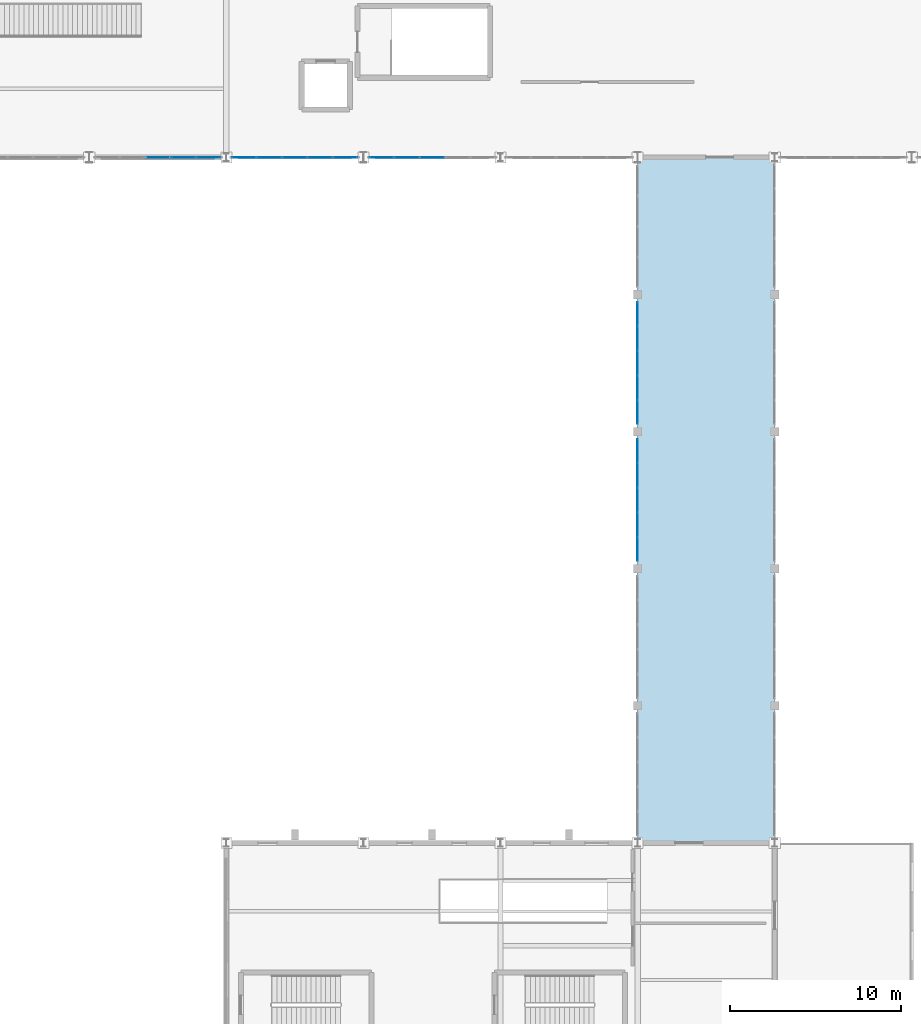
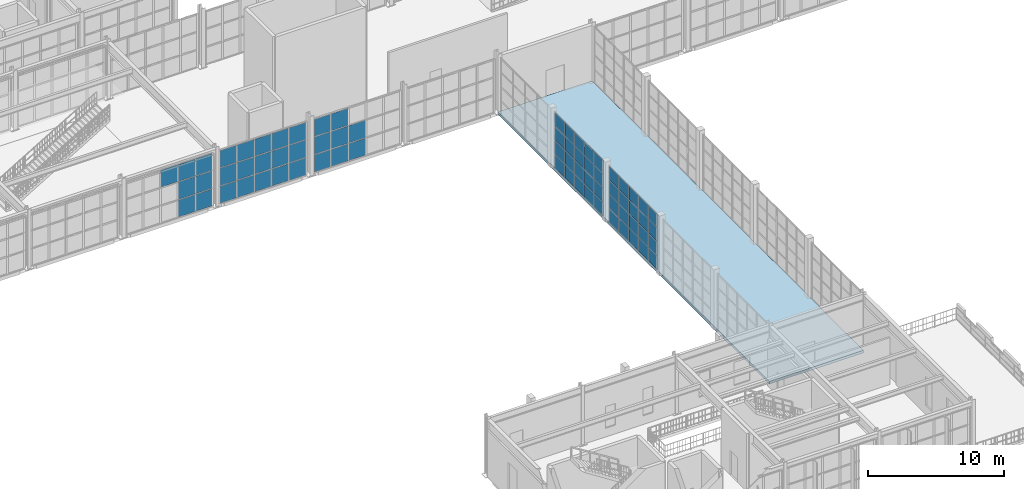
# One storey, part 52 of 82: 70 plates, 1 slab, 5 elements without a shape of their own.
"""IFC4 building model written with IfcOpenShell, lengths in metres."""

from ifc_helpers import new_model, si_unit, direction, frame, origin, origin_2d, place, context, subcontext, project, spatial, polyline, rectangle, outline, extrude, material, layer, layer_set, type_object, element, aggregate, save


model = new_model("IFC4")

# Units and contexts
model_context = context("Model", 3, precision=1e-05, world=origin(), true_north=direction((0.0, 1.0)))
body_context = subcontext(model_context, "Body", "Model", "MODEL_VIEW")
ifc_project = project(units=[si_unit("LENGTHUNIT", "METRE"), si_unit("AREAUNIT", "SQUARE_METRE"), si_unit("VOLUMEUNIT", "CUBIC_METRE"), si_unit("PLANEANGLEUNIT", "RADIAN"), si_unit("MASSUNIT", "GRAM", prefix="KILO")], contexts=[model_context])

# Site, building, storey
site_placement = place(None, origin())
site = spatial("IfcSite", under=ifc_project, at=site_placement, CompositionType="ELEMENT")
building_placement = place(site_placement, origin())
building = spatial("IfcBuilding", under=site, at=building_placement, Name="Serraluz Foothill Cableway Terminal", CompositionType="ELEMENT")
storey_placement = place(building_placement, frame((0.0, 0.0, 9.60009765625)))
storey = spatial("IfcBuildingStorey", under=building, at=storey_placement, Name="L02", CompositionType="ELEMENT", Elevation=9.60009765625)

# Curtain wall, plates
ifc_material_1 = material(Name="Architectural bronze alloy C28000", Category="aluminium")
curtain_wall_type_1 = type_object("IfcCurtainWallType", Name="TYP-CW-640X440", PredefinedType="NOTDEFINED", material=ifc_material_1)
curtain_wall_1_placement = place(storey_placement, origin())
curtain_wall_1 = element("IfcCurtainWall", 1, at=curtain_wall_1_placement, inside=storey, type_object=curtain_wall_type_1, Name="Ribbed Glazed Curtain Wall CW-V1S-L02-88", PredefinedType="NOTDEFINED")
ifc_material_2 = material(Name="Translucent ribbed laminated channel glass", Category="glass")
ifc_layer_1 = layer(ifc_material_2, 0.028076171875, Name="Translucent ribbed laminated channel glass", Category="glass")
ifc_layer_set_1 = layer_set([ifc_layer_1], Name="Translucent ribbed laminated channel glass")
plate_type = type_object("IfcPlateType", Name="TYP-CW-PNL-28", PredefinedType="CURTAIN_PANEL", material=ifc_layer_set_1)
plate_1_placement = place(storey_placement, frame((94.9619140625, 56.0, 0.06005859375), z_axis=(0.0, 0.0, 1.0), x_axis=(-1.0, 0.0, 0.0)))
plate_1 = element("IfcPlate", 2, at=plate_1_placement, type_object=plate_type, Name="CW-12 panel 1.1", PredefinedType="CURTAIN_PANEL", context=body_context, shape_type="SweptSolid", body=[
    extrude(rectangle(XDim=1.393310546875, YDim=0.028076171875, at=origin_2d()), origin(), (0.0, 0.0, 1.0), 1.526611328125),
])
plate_2_placement = place(storey_placement, frame((94.9619140625, 56.0, 1.646484375), z_axis=(0.0, 0.0, 1.0), x_axis=(-1.0, 0.0, 0.0)))
plate_2 = element("IfcPlate", 3, at=plate_2_placement, type_object=plate_type, Name="CW-12 panel 1.2", PredefinedType="CURTAIN_PANEL", context=body_context, shape_type="SweptSolid", body=[
    extrude(rectangle(XDim=1.393310546875, YDim=0.028076171875, at=origin_2d()), origin(), (0.0, 0.0, 1.0), 1.556640625),
])
plate_3_placement = place(storey_placement, frame((94.9619140625, 56.0, 3.26318359375), z_axis=(0.0, 0.0, 1.0), x_axis=(-1.0, 0.0, 0.0)))
plate_3 = element("IfcPlate", 4, at=plate_3_placement, type_object=plate_type, Name="CW-12 panel 1.3", PredefinedType="CURTAIN_PANEL", context=body_context, shape_type="SweptSolid", body=[
    extrude(rectangle(XDim=1.393310546875, YDim=0.028076171875, at=origin_2d()), origin(), (0.0, 0.0, 1.0), 1.526611328125),
])
plate_4_placement = place(storey_placement, frame((93.49365234375, 56.0, 0.06005859375), z_axis=(0.0, 0.0, 1.0), x_axis=(-1.0, 0.0, 0.0)))
plate_4 = element("IfcPlate", 5, at=plate_4_placement, type_object=plate_type, Name="CW-12 panel 2.1", PredefinedType="CURTAIN_PANEL", context=body_context, shape_type="SweptSolid", body=[
    extrude(rectangle(XDim=1.423095703125, YDim=0.028076171875, at=origin_2d()), origin(), (0.0, 0.0, 1.0), 1.526611328125),
])
plate_5_placement = place(storey_placement, frame((93.49365234375, 56.0, 1.646484375), z_axis=(0.0, 0.0, 1.0), x_axis=(-1.0, 0.0, 0.0)))
plate_5 = element("IfcPlate", 6, at=plate_5_placement, type_object=plate_type, Name="CW-12 panel 2.2", PredefinedType="CURTAIN_PANEL", context=body_context, shape_type="SweptSolid", body=[
    extrude(rectangle(XDim=1.423095703125, YDim=0.028076171875, at=origin_2d()), origin(), (0.0, 0.0, 1.0), 1.556640625),
])
plate_6_placement = place(storey_placement, frame((93.49365234375, 56.0, 3.26318359375), z_axis=(0.0, 0.0, 1.0), x_axis=(-1.0, 0.0, 0.0)))
plate_6 = element("IfcPlate", 7, at=plate_6_placement, type_object=plate_type, Name="CW-12 panel 2.3", PredefinedType="CURTAIN_PANEL", context=body_context, shape_type="SweptSolid", body=[
    extrude(rectangle(XDim=1.423095703125, YDim=0.028076171875, at=origin_2d()), origin(), (0.0, 0.0, 1.0), 1.526611328125),
])
plate_7_placement = place(storey_placement, frame((92.010498046875, 56.0, 3.26318359375), z_axis=(0.0, 0.0, 1.0), x_axis=(-1.0, 0.0, 0.0)))
plate_7 = element("IfcPlate", 8, at=plate_7_placement, type_object=plate_type, Name="CW-12 panel 3.3", PredefinedType="CURTAIN_PANEL", context=body_context, shape_type="SweptSolid", body=[
    extrude(rectangle(XDim=1.423095703125, YDim=0.028076171875, at=origin_2d()), origin(), (0.0, 0.0, 1.0), 1.526611328125),
])
aggregate(curtain_wall_1, [plate_1, plate_2, plate_3, plate_4, plate_5, plate_6, plate_7])

curtain_wall_type_2 = type_object("IfcCurtainWallType", Name="TYP-CW-680X420", PredefinedType="NOTDEFINED", material=ifc_material_1)
curtain_wall_2_placement = place(storey_placement, origin())
curtain_wall_2 = element("IfcCurtainWall", 9, at=curtain_wall_2_placement, inside=storey, type_object=curtain_wall_type_2, Name="Ribbed Glazed Curtain Wall CW-V1S-L02-96", PredefinedType="NOTDEFINED")
plate_8_placement = place(storey_placement, frame((102.94091796875, 56.0, 0.06005859375), z_axis=(0.0, 0.0, 1.0), x_axis=(-1.0, 0.0, 0.0)))
plate_8 = element("IfcPlate", 10, at=plate_8_placement, type_object=plate_type, Name="CW-13 panel 1.1", PredefinedType="CURTAIN_PANEL", context=body_context, shape_type="SweptSolid", body=[
    extrude(rectangle(XDim=1.393310546875, YDim=0.028076171875, at=origin_2d()), origin(), (0.0, 0.0, 1.0), 1.526611328125),
])
plate_9_placement = place(storey_placement, frame((102.94091796875, 56.0, 1.646484375), z_axis=(0.0, 0.0, 1.0), x_axis=(-1.0, 0.0, 0.0)))
plate_9 = element("IfcPlate", 11, at=plate_9_placement, type_object=plate_type, Name="CW-13 panel 1.2", PredefinedType="CURTAIN_PANEL", context=body_context, shape_type="SweptSolid", body=[
    extrude(rectangle(XDim=1.393310546875, YDim=0.028076171875, at=origin_2d()), origin(), (0.0, 0.0, 1.0), 1.556640625),
])
plate_10_placement = place(storey_placement, frame((102.94091796875, 56.0, 3.26318359375), z_axis=(0.0, 0.0, 1.0), x_axis=(-1.0, 0.0, 0.0)))
plate_10 = element("IfcPlate", 12, at=plate_10_placement, type_object=plate_type, Name="CW-13 panel 1.3", PredefinedType="CURTAIN_PANEL", context=body_context, shape_type="SweptSolid", body=[
    extrude(rectangle(XDim=1.393310546875, YDim=0.028076171875, at=origin_2d()), origin(), (0.0, 0.0, 1.0), 1.526611328125),
])
plate_11_placement = place(storey_placement, frame((101.47265625, 56.0, 0.06005859375), z_axis=(0.0, 0.0, 1.0), x_axis=(-1.0, 0.0, 0.0)))
plate_11 = element("IfcPlate", 13, at=plate_11_placement, type_object=plate_type, Name="CW-13 panel 2.1", PredefinedType="CURTAIN_PANEL", context=body_context, shape_type="SweptSolid", body=[
    extrude(rectangle(XDim=1.423095703125, YDim=0.028076171875, at=origin_2d()), origin(), (0.0, 0.0, 1.0), 1.526611328125),
])
plate_12_placement = place(storey_placement, frame((101.47265625, 56.0, 1.646484375), z_axis=(0.0, 0.0, 1.0), x_axis=(-1.0, 0.0, 0.0)))
plate_12 = element("IfcPlate", 14, at=plate_12_placement, type_object=plate_type, Name="CW-13 panel 2.2", PredefinedType="CURTAIN_PANEL", context=body_context, shape_type="SweptSolid", body=[
    extrude(rectangle(XDim=1.423095703125, YDim=0.028076171875, at=origin_2d()), origin(), (0.0, 0.0, 1.0), 1.556640625),
])
plate_13_placement = place(storey_placement, frame((101.47265625, 56.0, 3.26318359375), z_axis=(0.0, 0.0, 1.0), x_axis=(-1.0, 0.0, 0.0)))
plate_13 = element("IfcPlate", 15, at=plate_13_placement, type_object=plate_type, Name="CW-13 panel 2.3", PredefinedType="CURTAIN_PANEL", context=body_context, shape_type="SweptSolid", body=[
    extrude(rectangle(XDim=1.423095703125, YDim=0.028076171875, at=origin_2d()), origin(), (0.0, 0.0, 1.0), 1.526611328125),
])
plate_14_placement = place(storey_placement, frame((99.989501953125, 56.0, 0.06005859375), z_axis=(0.0, 0.0, 1.0), x_axis=(-1.0, 0.0, 0.0)))
plate_14 = element("IfcPlate", 16, at=plate_14_placement, type_object=plate_type, Name="CW-13 panel 3.1", PredefinedType="CURTAIN_PANEL", context=body_context, shape_type="SweptSolid", body=[
    extrude(rectangle(XDim=1.423095703125, YDim=0.028076171875, at=origin_2d()), origin(), (0.0, 0.0, 1.0), 1.526611328125),
])
plate_15_placement = place(storey_placement, frame((99.989501953125, 56.0, 1.646484375), z_axis=(0.0, 0.0, 1.0), x_axis=(-1.0, 0.0, 0.0)))
plate_15 = element("IfcPlate", 17, at=plate_15_placement, type_object=plate_type, Name="CW-13 panel 3.2", PredefinedType="CURTAIN_PANEL", context=body_context, shape_type="SweptSolid", body=[
    extrude(rectangle(XDim=1.423095703125, YDim=0.028076171875, at=origin_2d()), origin(), (0.0, 0.0, 1.0), 1.556640625),
])
plate_16_placement = place(storey_placement, frame((99.989501953125, 56.0, 3.26318359375), z_axis=(0.0, 0.0, 1.0), x_axis=(-1.0, 0.0, 0.0)))
plate_16 = element("IfcPlate", 18, at=plate_16_placement, type_object=plate_type, Name="CW-13 panel 3.3", PredefinedType="CURTAIN_PANEL", context=body_context, shape_type="SweptSolid", body=[
    extrude(rectangle(XDim=1.423095703125, YDim=0.028076171875, at=origin_2d()), origin(), (0.0, 0.0, 1.0), 1.526611328125),
])
plate_17_placement = place(storey_placement, frame((98.50634765625, 56.0, 0.06005859375), z_axis=(0.0, 0.0, 1.0), x_axis=(-1.0, 0.0, 0.0)))
plate_17 = element("IfcPlate", 19, at=plate_17_placement, type_object=plate_type, Name="CW-13 panel 4.1", PredefinedType="CURTAIN_PANEL", context=body_context, shape_type="SweptSolid", body=[
    extrude(rectangle(XDim=1.423095703125, YDim=0.028076171875, at=origin_2d()), origin(), (0.0, 0.0, 1.0), 1.526611328125),
])
plate_18_placement = place(storey_placement, frame((98.50634765625, 56.0, 1.646484375), z_axis=(0.0, 0.0, 1.0), x_axis=(-1.0, 0.0, 0.0)))
plate_18 = element("IfcPlate", 20, at=plate_18_placement, type_object=plate_type, Name="CW-13 panel 4.2", PredefinedType="CURTAIN_PANEL", context=body_context, shape_type="SweptSolid", body=[
    extrude(rectangle(XDim=1.423095703125, YDim=0.028076171875, at=origin_2d()), origin(), (0.0, 0.0, 1.0), 1.556640625),
])
plate_19_placement = place(storey_placement, frame((98.50634765625, 56.0, 3.26318359375), z_axis=(0.0, 0.0, 1.0), x_axis=(-1.0, 0.0, 0.0)))
plate_19 = element("IfcPlate", 21, at=plate_19_placement, type_object=plate_type, Name="CW-13 panel 4.3", PredefinedType="CURTAIN_PANEL", context=body_context, shape_type="SweptSolid", body=[
    extrude(rectangle(XDim=1.423095703125, YDim=0.028076171875, at=origin_2d()), origin(), (0.0, 0.0, 1.0), 1.526611328125),
])
plate_20_placement = place(storey_placement, frame((97.0380859375, 56.0, 0.06005859375), z_axis=(0.0, 0.0, 1.0), x_axis=(-1.0, 0.0, 0.0)))
plate_20 = element("IfcPlate", 22, at=plate_20_placement, type_object=plate_type, Name="CW-13 panel 5.1", PredefinedType="CURTAIN_PANEL", context=body_context, shape_type="SweptSolid", body=[
    extrude(rectangle(XDim=1.393310546875, YDim=0.028076171875, at=origin_2d()), origin(), (0.0, 0.0, 1.0), 1.526611328125),
])
plate_21_placement = place(storey_placement, frame((97.0380859375, 56.0, 1.646484375), z_axis=(0.0, 0.0, 1.0), x_axis=(-1.0, 0.0, 0.0)))
plate_21 = element("IfcPlate", 23, at=plate_21_placement, type_object=plate_type, Name="CW-13 panel 5.2", PredefinedType="CURTAIN_PANEL", context=body_context, shape_type="SweptSolid", body=[
    extrude(rectangle(XDim=1.393310546875, YDim=0.028076171875, at=origin_2d()), origin(), (0.0, 0.0, 1.0), 1.556640625),
])
plate_22_placement = place(storey_placement, frame((97.0380859375, 56.0, 3.26318359375), z_axis=(0.0, 0.0, 1.0), x_axis=(-1.0, 0.0, 0.0)))
plate_22 = element("IfcPlate", 24, at=plate_22_placement, type_object=plate_type, Name="CW-13 panel 5.3", PredefinedType="CURTAIN_PANEL", context=body_context, shape_type="SweptSolid", body=[
    extrude(rectangle(XDim=1.393310546875, YDim=0.028076171875, at=origin_2d()), origin(), (0.0, 0.0, 1.0), 1.526611328125),
])
aggregate(curtain_wall_2, [plate_8, plate_9, plate_10, plate_11, plate_12, plate_13, plate_14, plate_15, plate_16, plate_17, plate_18, plate_19, plate_20, plate_21, plate_22])

curtain_wall_type_3 = type_object("IfcCurtainWallType", Name="TYP-CW-480X380", PredefinedType="NOTDEFINED", material=ifc_material_1)
curtain_wall_3_placement = place(storey_placement, origin())
curtain_wall_3 = element("IfcCurtainWall", 25, at=curtain_wall_3_placement, inside=storey, type_object=curtain_wall_type_3, Name="Ribbed Glazed Curtain Wall CW-V1S-L02-104", PredefinedType="NOTDEFINED")
plate_23_placement = place(storey_placement, frame((108.010498046875, 56.0, 0.06005859375), z_axis=(0.0, 0.0, 1.0), x_axis=(-1.0, 0.0, 0.0)))
plate_23 = element("IfcPlate", 26, at=plate_23_placement, type_object=plate_type, Name="CW-14 panel 3.1", PredefinedType="CURTAIN_PANEL", context=body_context, shape_type="SweptSolid", body=[
    extrude(rectangle(XDim=1.423095703125, YDim=0.028076171875, at=origin_2d()), origin(), (0.0, 0.0, 1.0), 1.526611328125),
])
plate_24_placement = place(storey_placement, frame((108.010498046875, 56.0, 1.646484375), z_axis=(0.0, 0.0, 1.0), x_axis=(-1.0, 0.0, 0.0)))
plate_24 = element("IfcPlate", 27, at=plate_24_placement, type_object=plate_type, Name="CW-14 panel 3.2", PredefinedType="CURTAIN_PANEL", context=body_context, shape_type="SweptSolid", body=[
    extrude(rectangle(XDim=1.423095703125, YDim=0.028076171875, at=origin_2d()), origin(), (0.0, 0.0, 1.0), 1.556640625),
])
plate_25_placement = place(storey_placement, frame((106.52734375, 56.0, 0.06005859375), z_axis=(0.0, 0.0, 1.0), x_axis=(-1.0, 0.0, 0.0)))
plate_25 = element("IfcPlate", 28, at=plate_25_placement, type_object=plate_type, Name="CW-14 panel 4.1", PredefinedType="CURTAIN_PANEL", context=body_context, shape_type="SweptSolid", body=[
    extrude(rectangle(XDim=1.423095703125, YDim=0.028076171875, at=origin_2d()), origin(), (0.0, 0.0, 1.0), 1.526611328125),
])
plate_26_placement = place(storey_placement, frame((106.52734375, 56.0, 1.646484375), z_axis=(0.0, 0.0, 1.0), x_axis=(-1.0, 0.0, 0.0)))
plate_26 = element("IfcPlate", 29, at=plate_26_placement, type_object=plate_type, Name="CW-14 panel 4.2", PredefinedType="CURTAIN_PANEL", context=body_context, shape_type="SweptSolid", body=[
    extrude(rectangle(XDim=1.423095703125, YDim=0.028076171875, at=origin_2d()), origin(), (0.0, 0.0, 1.0), 1.556640625),
])
plate_27_placement = place(storey_placement, frame((106.52734375, 56.0, 3.26318359375), z_axis=(0.0, 0.0, 1.0), x_axis=(-1.0, 0.0, 0.0)))
plate_27 = element("IfcPlate", 30, at=plate_27_placement, type_object=plate_type, Name="CW-14 panel 4.3", PredefinedType="CURTAIN_PANEL", context=body_context, shape_type="SweptSolid", body=[
    extrude(rectangle(XDim=1.423095703125, YDim=0.028076171875, at=origin_2d()), origin(), (0.0, 0.0, 1.0), 1.526611328125),
])
plate_28_placement = place(storey_placement, frame((105.05908203125, 56.0, 0.06005859375), z_axis=(0.0, 0.0, 1.0), x_axis=(-1.0, 0.0, 0.0)))
plate_28 = element("IfcPlate", 31, at=plate_28_placement, type_object=plate_type, Name="CW-14 panel 5.1", PredefinedType="CURTAIN_PANEL", context=body_context, shape_type="SweptSolid", body=[
    extrude(rectangle(XDim=1.393310546875, YDim=0.028076171875, at=origin_2d()), origin(), (0.0, 0.0, 1.0), 1.526611328125),
])
plate_29_placement = place(storey_placement, frame((105.05908203125, 56.0, 1.646484375), z_axis=(0.0, 0.0, 1.0), x_axis=(-1.0, 0.0, 0.0)))
plate_29 = element("IfcPlate", 32, at=plate_29_placement, type_object=plate_type, Name="CW-14 panel 5.2", PredefinedType="CURTAIN_PANEL", context=body_context, shape_type="SweptSolid", body=[
    extrude(rectangle(XDim=1.393310546875, YDim=0.028076171875, at=origin_2d()), origin(), (0.0, 0.0, 1.0), 1.556640625),
])
plate_30_placement = place(storey_placement, frame((105.05908203125, 56.0, 3.26318359375), z_axis=(0.0, 0.0, 1.0), x_axis=(-1.0, 0.0, 0.0)))
plate_30 = element("IfcPlate", 33, at=plate_30_placement, type_object=plate_type, Name="CW-14 panel 5.3", PredefinedType="CURTAIN_PANEL", context=body_context, shape_type="SweptSolid", body=[
    extrude(rectangle(XDim=1.393310546875, YDim=0.028076171875, at=origin_2d()), origin(), (0.0, 0.0, 1.0), 1.526611328125),
])
aggregate(curtain_wall_3, [plate_23, plate_24, plate_25, plate_26, plate_27, plate_28, plate_29, plate_30])

curtain_wall_type_4 = type_object("IfcCurtainWallType", Name="TYP-CW-710X420", PredefinedType="NOTDEFINED", material=ifc_material_1)
curtain_wall_4_placement = place(storey_placement, origin())
curtain_wall_4 = element("IfcCurtainWall", 34, at=curtain_wall_4_placement, inside=storey, type_object=curtain_wall_type_4, Name="Ribbed Glazed Curtain Wall CW-CLW-L02-32", PredefinedType="NOTDEFINED")
plate_31_placement = place(storey_placement, frame((120.0, 33.126953125, 0.059814453125), z_axis=(0.0, 0.0, 1.0), x_axis=(0.0, 1.0, 0.0)))
plate_31 = element("IfcPlate", 35, at=plate_31_placement, type_object=plate_type, Name="CW-01 panel 1.1", PredefinedType="CURTAIN_PANEL", context=body_context, shape_type="SweptSolid", body=[
    extrude(rectangle(XDim=1.35400390625, YDim=0.028076171875, at=origin_2d()), origin(), (0.0, 0.0, 1.0), 1.18505859375),
])
plate_32_placement = place(storey_placement, frame((120.0, 33.126953125, 1.3046875), z_axis=(0.0, 0.0, 1.0), x_axis=(0.0, 1.0, 0.0)))
plate_32 = element("IfcPlate", 36, at=plate_32_placement, type_object=plate_type, Name="CW-01 panel 1.2", PredefinedType="CURTAIN_PANEL", context=body_context, shape_type="SweptSolid", body=[
    extrude(rectangle(XDim=1.35400390625, YDim=0.028076171875, at=origin_2d()), origin(), (0.0, 0.0, 1.0), 1.215087890625),
])
plate_33_placement = place(storey_placement, frame((120.0, 33.126953125, 2.580078125), z_axis=(0.0, 0.0, 1.0), x_axis=(0.0, 1.0, 0.0)))
plate_33 = element("IfcPlate", 37, at=plate_33_placement, type_object=plate_type, Name="CW-01 panel 1.3", PredefinedType="CURTAIN_PANEL", context=body_context, shape_type="SweptSolid", body=[
    extrude(rectangle(XDim=1.35400390625, YDim=0.028076171875, at=origin_2d()), origin(), (0.0, 0.0, 1.0), 1.215087890625),
])
plate_34_placement = place(storey_placement, frame((120.0, 33.126953125, 3.85498046875), z_axis=(0.0, 0.0, 1.0), x_axis=(0.0, 1.0, 0.0)))
plate_34 = element("IfcPlate", 38, at=plate_34_placement, type_object=plate_type, Name="CW-01 panel 1.4", PredefinedType="CURTAIN_PANEL", context=body_context, shape_type="SweptSolid", body=[
    extrude(rectangle(XDim=1.35400390625, YDim=0.028076171875, at=origin_2d()), origin(), (0.0, 0.0, 1.0), 1.18505859375),
])
plate_35_placement = place(storey_placement, frame((120.0, 34.555908203125, 0.059814453125), z_axis=(0.0, 0.0, 1.0), x_axis=(0.0, 1.0, 0.0)))
plate_35 = element("IfcPlate", 39, at=plate_35_placement, type_object=plate_type, Name="CW-01 panel 2.1", PredefinedType="CURTAIN_PANEL", context=body_context, shape_type="SweptSolid", body=[
    extrude(rectangle(XDim=1.384033203125, YDim=0.028076171875, at=origin_2d()), origin(), (0.0, 0.0, 1.0), 1.18505859375),
])
plate_36_placement = place(storey_placement, frame((120.0, 34.555908203125, 1.3046875), z_axis=(0.0, 0.0, 1.0), x_axis=(0.0, 1.0, 0.0)))
plate_36 = element("IfcPlate", 40, at=plate_36_placement, type_object=plate_type, Name="CW-01 panel 2.2", PredefinedType="CURTAIN_PANEL", context=body_context, shape_type="SweptSolid", body=[
    extrude(rectangle(XDim=1.384033203125, YDim=0.028076171875, at=origin_2d()), origin(), (0.0, 0.0, 1.0), 1.215087890625),
])
plate_37_placement = place(storey_placement, frame((120.0, 34.555908203125, 2.580078125), z_axis=(0.0, 0.0, 1.0), x_axis=(0.0, 1.0, 0.0)))
plate_37 = element("IfcPlate", 41, at=plate_37_placement, type_object=plate_type, Name="CW-01 panel 2.3", PredefinedType="CURTAIN_PANEL", context=body_context, shape_type="SweptSolid", body=[
    extrude(rectangle(XDim=1.384033203125, YDim=0.028076171875, at=origin_2d()), origin(), (0.0, 0.0, 1.0), 1.215087890625),
])
plate_38_placement = place(storey_placement, frame((120.0, 34.555908203125, 3.85498046875), z_axis=(0.0, 0.0, 1.0), x_axis=(0.0, 1.0, 0.0)))
plate_38 = element("IfcPlate", 42, at=plate_38_placement, type_object=plate_type, Name="CW-01 panel 2.4", PredefinedType="CURTAIN_PANEL", context=body_context, shape_type="SweptSolid", body=[
    extrude(rectangle(XDim=1.384033203125, YDim=0.028076171875, at=origin_2d()), origin(), (0.0, 0.0, 1.0), 1.18505859375),
])
plate_39_placement = place(storey_placement, frame((120.0, 36.0, 0.059814453125), z_axis=(0.0, 0.0, 1.0), x_axis=(0.0, 1.0, 0.0)))
plate_39 = element("IfcPlate", 43, at=plate_39_placement, type_object=plate_type, Name="CW-01 panel 3.1", PredefinedType="CURTAIN_PANEL", context=body_context, shape_type="SweptSolid", body=[
    extrude(rectangle(XDim=1.384033203125, YDim=0.028076171875, at=origin_2d()), origin(), (0.0, 0.0, 1.0), 1.18505859375),
])
plate_40_placement = place(storey_placement, frame((120.0, 36.0, 1.3046875), z_axis=(0.0, 0.0, 1.0), x_axis=(0.0, 1.0, 0.0)))
plate_40 = element("IfcPlate", 44, at=plate_40_placement, type_object=plate_type, Name="CW-01 panel 3.2", PredefinedType="CURTAIN_PANEL", context=body_context, shape_type="SweptSolid", body=[
    extrude(rectangle(XDim=1.384033203125, YDim=0.028076171875, at=origin_2d()), origin(), (0.0, 0.0, 1.0), 1.215087890625),
])
plate_41_placement = place(storey_placement, frame((120.0, 36.0, 2.580078125), z_axis=(0.0, 0.0, 1.0), x_axis=(0.0, 1.0, 0.0)))
plate_41 = element("IfcPlate", 45, at=plate_41_placement, type_object=plate_type, Name="CW-01 panel 3.3", PredefinedType="CURTAIN_PANEL", context=body_context, shape_type="SweptSolid", body=[
    extrude(rectangle(XDim=1.384033203125, YDim=0.028076171875, at=origin_2d()), origin(), (0.0, 0.0, 1.0), 1.215087890625),
])
plate_42_placement = place(storey_placement, frame((120.0, 36.0, 3.85498046875), z_axis=(0.0, 0.0, 1.0), x_axis=(0.0, 1.0, 0.0)))
plate_42 = element("IfcPlate", 46, at=plate_42_placement, type_object=plate_type, Name="CW-01 panel 3.4", PredefinedType="CURTAIN_PANEL", context=body_context, shape_type="SweptSolid", body=[
    extrude(rectangle(XDim=1.384033203125, YDim=0.028076171875, at=origin_2d()), origin(), (0.0, 0.0, 1.0), 1.18505859375),
])
plate_43_placement = place(storey_placement, frame((120.0, 37.444091796875, 0.059814453125), z_axis=(0.0, 0.0, 1.0), x_axis=(0.0, 1.0, 0.0)))
plate_43 = element("IfcPlate", 47, at=plate_43_placement, type_object=plate_type, Name="CW-01 panel 4.1", PredefinedType="CURTAIN_PANEL", context=body_context, shape_type="SweptSolid", body=[
    extrude(rectangle(XDim=1.384033203125, YDim=0.028076171875, at=origin_2d()), origin(), (0.0, 0.0, 1.0), 1.18505859375),
])
plate_44_placement = place(storey_placement, frame((120.0, 37.444091796875, 1.3046875), z_axis=(0.0, 0.0, 1.0), x_axis=(0.0, 1.0, 0.0)))
plate_44 = element("IfcPlate", 48, at=plate_44_placement, type_object=plate_type, Name="CW-01 panel 4.2", PredefinedType="CURTAIN_PANEL", context=body_context, shape_type="SweptSolid", body=[
    extrude(rectangle(XDim=1.384033203125, YDim=0.028076171875, at=origin_2d()), origin(), (0.0, 0.0, 1.0), 1.215087890625),
])
plate_45_placement = place(storey_placement, frame((120.0, 37.444091796875, 2.580078125), z_axis=(0.0, 0.0, 1.0), x_axis=(0.0, 1.0, 0.0)))
plate_45 = element("IfcPlate", 49, at=plate_45_placement, type_object=plate_type, Name="CW-01 panel 4.3", PredefinedType="CURTAIN_PANEL", context=body_context, shape_type="SweptSolid", body=[
    extrude(rectangle(XDim=1.384033203125, YDim=0.028076171875, at=origin_2d()), origin(), (0.0, 0.0, 1.0), 1.215087890625),
])
plate_46_placement = place(storey_placement, frame((120.0, 37.444091796875, 3.85498046875), z_axis=(0.0, 0.0, 1.0), x_axis=(0.0, 1.0, 0.0)))
plate_46 = element("IfcPlate", 50, at=plate_46_placement, type_object=plate_type, Name="CW-01 panel 4.4", PredefinedType="CURTAIN_PANEL", context=body_context, shape_type="SweptSolid", body=[
    extrude(rectangle(XDim=1.384033203125, YDim=0.028076171875, at=origin_2d()), origin(), (0.0, 0.0, 1.0), 1.18505859375),
])
plate_47_placement = place(storey_placement, frame((120.0, 38.873046875, 0.059814453125), z_axis=(0.0, 0.0, 1.0), x_axis=(0.0, 1.0, 0.0)))
plate_47 = element("IfcPlate", 51, at=plate_47_placement, type_object=plate_type, Name="CW-01 panel 5.1", PredefinedType="CURTAIN_PANEL", context=body_context, shape_type="SweptSolid", body=[
    extrude(rectangle(XDim=1.35400390625, YDim=0.028076171875, at=origin_2d()), origin(), (0.0, 0.0, 1.0), 1.18505859375),
])
plate_48_placement = place(storey_placement, frame((120.0, 38.873046875, 1.3046875), z_axis=(0.0, 0.0, 1.0), x_axis=(0.0, 1.0, 0.0)))
plate_48 = element("IfcPlate", 52, at=plate_48_placement, type_object=plate_type, Name="CW-01 panel 5.2", PredefinedType="CURTAIN_PANEL", context=body_context, shape_type="SweptSolid", body=[
    extrude(rectangle(XDim=1.35400390625, YDim=0.028076171875, at=origin_2d()), origin(), (0.0, 0.0, 1.0), 1.215087890625),
])
plate_49_placement = place(storey_placement, frame((120.0, 38.873046875, 2.580078125), z_axis=(0.0, 0.0, 1.0), x_axis=(0.0, 1.0, 0.0)))
plate_49 = element("IfcPlate", 53, at=plate_49_placement, type_object=plate_type, Name="CW-01 panel 5.3", PredefinedType="CURTAIN_PANEL", context=body_context, shape_type="SweptSolid", body=[
    extrude(rectangle(XDim=1.35400390625, YDim=0.028076171875, at=origin_2d()), origin(), (0.0, 0.0, 1.0), 1.215087890625),
])
plate_50_placement = place(storey_placement, frame((120.0, 38.873046875, 3.85498046875), z_axis=(0.0, 0.0, 1.0), x_axis=(0.0, 1.0, 0.0)))
plate_50 = element("IfcPlate", 54, at=plate_50_placement, type_object=plate_type, Name="CW-01 panel 5.4", PredefinedType="CURTAIN_PANEL", context=body_context, shape_type="SweptSolid", body=[
    extrude(rectangle(XDim=1.35400390625, YDim=0.028076171875, at=origin_2d()), origin(), (0.0, 0.0, 1.0), 1.18505859375),
])
aggregate(curtain_wall_4, [plate_31, plate_32, plate_33, plate_34, plate_35, plate_36, plate_37, plate_38, plate_39, plate_40, plate_41, plate_42, plate_43, plate_44, plate_45, plate_46, plate_47, plate_48, plate_49, plate_50])

curtain_wall_5_placement = place(storey_placement, origin())
curtain_wall_5 = element("IfcCurtainWall", 55, at=curtain_wall_5_placement, inside=storey, type_object=curtain_wall_type_4, Name="Ribbed Glazed Curtain Wall CW-CLW-L02-40", PredefinedType="NOTDEFINED")
plate_51_placement = place(storey_placement, frame((120.0, 41.126953125, 0.059814453125), z_axis=(0.0, 0.0, 1.0), x_axis=(0.0, 1.0, 0.0)))
plate_51 = element("IfcPlate", 56, at=plate_51_placement, type_object=plate_type, Name="CW-01 panel 1.1", PredefinedType="CURTAIN_PANEL", context=body_context, shape_type="SweptSolid", body=[
    extrude(rectangle(XDim=1.35400390625, YDim=0.028076171875, at=origin_2d()), origin(), (0.0, 0.0, 1.0), 1.18505859375),
])
plate_52_placement = place(storey_placement, frame((120.0, 41.126953125, 1.3046875), z_axis=(0.0, 0.0, 1.0), x_axis=(0.0, 1.0, 0.0)))
plate_52 = element("IfcPlate", 57, at=plate_52_placement, type_object=plate_type, Name="CW-01 panel 1.2", PredefinedType="CURTAIN_PANEL", context=body_context, shape_type="SweptSolid", body=[
    extrude(rectangle(XDim=1.35400390625, YDim=0.028076171875, at=origin_2d()), origin(), (0.0, 0.0, 1.0), 1.215087890625),
])
plate_53_placement = place(storey_placement, frame((120.0, 41.126953125, 2.580078125), z_axis=(0.0, 0.0, 1.0), x_axis=(0.0, 1.0, 0.0)))
plate_53 = element("IfcPlate", 58, at=plate_53_placement, type_object=plate_type, Name="CW-01 panel 1.3", PredefinedType="CURTAIN_PANEL", context=body_context, shape_type="SweptSolid", body=[
    extrude(rectangle(XDim=1.35400390625, YDim=0.028076171875, at=origin_2d()), origin(), (0.0, 0.0, 1.0), 1.215087890625),
])
plate_54_placement = place(storey_placement, frame((120.0, 41.126953125, 3.85498046875), z_axis=(0.0, 0.0, 1.0), x_axis=(0.0, 1.0, 0.0)))
plate_54 = element("IfcPlate", 59, at=plate_54_placement, type_object=plate_type, Name="CW-01 panel 1.4", PredefinedType="CURTAIN_PANEL", context=body_context, shape_type="SweptSolid", body=[
    extrude(rectangle(XDim=1.35400390625, YDim=0.028076171875, at=origin_2d()), origin(), (0.0, 0.0, 1.0), 1.18505859375),
])
plate_55_placement = place(storey_placement, frame((120.0, 42.555908203125, 0.059814453125), z_axis=(0.0, 0.0, 1.0), x_axis=(0.0, 1.0, 0.0)))
plate_55 = element("IfcPlate", 60, at=plate_55_placement, type_object=plate_type, Name="CW-01 panel 2.1", PredefinedType="CURTAIN_PANEL", context=body_context, shape_type="SweptSolid", body=[
    extrude(rectangle(XDim=1.384033203125, YDim=0.028076171875, at=origin_2d()), origin(), (0.0, 0.0, 1.0), 1.18505859375),
])
plate_56_placement = place(storey_placement, frame((120.0, 42.555908203125, 1.3046875), z_axis=(0.0, 0.0, 1.0), x_axis=(0.0, 1.0, 0.0)))
plate_56 = element("IfcPlate", 61, at=plate_56_placement, type_object=plate_type, Name="CW-01 panel 2.2", PredefinedType="CURTAIN_PANEL", context=body_context, shape_type="SweptSolid", body=[
    extrude(rectangle(XDim=1.384033203125, YDim=0.028076171875, at=origin_2d()), origin(), (0.0, 0.0, 1.0), 1.215087890625),
])
plate_57_placement = place(storey_placement, frame((120.0, 42.555908203125, 2.580078125), z_axis=(0.0, 0.0, 1.0), x_axis=(0.0, 1.0, 0.0)))
plate_57 = element("IfcPlate", 62, at=plate_57_placement, type_object=plate_type, Name="CW-01 panel 2.3", PredefinedType="CURTAIN_PANEL", context=body_context, shape_type="SweptSolid", body=[
    extrude(rectangle(XDim=1.384033203125, YDim=0.028076171875, at=origin_2d()), origin(), (0.0, 0.0, 1.0), 1.215087890625),
])
plate_58_placement = place(storey_placement, frame((120.0, 42.555908203125, 3.85498046875), z_axis=(0.0, 0.0, 1.0), x_axis=(0.0, 1.0, 0.0)))
plate_58 = element("IfcPlate", 63, at=plate_58_placement, type_object=plate_type, Name="CW-01 panel 2.4", PredefinedType="CURTAIN_PANEL", context=body_context, shape_type="SweptSolid", body=[
    extrude(rectangle(XDim=1.384033203125, YDim=0.028076171875, at=origin_2d()), origin(), (0.0, 0.0, 1.0), 1.18505859375),
])
plate_59_placement = place(storey_placement, frame((120.0, 44.0, 0.059814453125), z_axis=(0.0, 0.0, 1.0), x_axis=(0.0, 1.0, 0.0)))
plate_59 = element("IfcPlate", 64, at=plate_59_placement, type_object=plate_type, Name="CW-01 panel 3.1", PredefinedType="CURTAIN_PANEL", context=body_context, shape_type="SweptSolid", body=[
    extrude(rectangle(XDim=1.384033203125, YDim=0.028076171875, at=origin_2d()), origin(), (0.0, 0.0, 1.0), 1.18505859375),
])
plate_60_placement = place(storey_placement, frame((120.0, 44.0, 1.3046875), z_axis=(0.0, 0.0, 1.0), x_axis=(0.0, 1.0, 0.0)))
plate_60 = element("IfcPlate", 65, at=plate_60_placement, type_object=plate_type, Name="CW-01 panel 3.2", PredefinedType="CURTAIN_PANEL", context=body_context, shape_type="SweptSolid", body=[
    extrude(rectangle(XDim=1.384033203125, YDim=0.028076171875, at=origin_2d()), origin(), (0.0, 0.0, 1.0), 1.215087890625),
])
plate_61_placement = place(storey_placement, frame((120.0, 44.0, 2.580078125), z_axis=(0.0, 0.0, 1.0), x_axis=(0.0, 1.0, 0.0)))
plate_61 = element("IfcPlate", 66, at=plate_61_placement, type_object=plate_type, Name="CW-01 panel 3.3", PredefinedType="CURTAIN_PANEL", context=body_context, shape_type="SweptSolid", body=[
    extrude(rectangle(XDim=1.384033203125, YDim=0.028076171875, at=origin_2d()), origin(), (0.0, 0.0, 1.0), 1.215087890625),
])
plate_62_placement = place(storey_placement, frame((120.0, 44.0, 3.85498046875), z_axis=(0.0, 0.0, 1.0), x_axis=(0.0, 1.0, 0.0)))
plate_62 = element("IfcPlate", 67, at=plate_62_placement, type_object=plate_type, Name="CW-01 panel 3.4", PredefinedType="CURTAIN_PANEL", context=body_context, shape_type="SweptSolid", body=[
    extrude(rectangle(XDim=1.384033203125, YDim=0.028076171875, at=origin_2d()), origin(), (0.0, 0.0, 1.0), 1.18505859375),
])
plate_63_placement = place(storey_placement, frame((120.0, 45.444091796875, 0.059814453125), z_axis=(0.0, 0.0, 1.0), x_axis=(0.0, 1.0, 0.0)))
plate_63 = element("IfcPlate", 68, at=plate_63_placement, type_object=plate_type, Name="CW-01 panel 4.1", PredefinedType="CURTAIN_PANEL", context=body_context, shape_type="SweptSolid", body=[
    extrude(rectangle(XDim=1.384033203125, YDim=0.028076171875, at=origin_2d()), origin(), (0.0, 0.0, 1.0), 1.18505859375),
])
plate_64_placement = place(storey_placement, frame((120.0, 45.444091796875, 1.3046875), z_axis=(0.0, 0.0, 1.0), x_axis=(0.0, 1.0, 0.0)))
plate_64 = element("IfcPlate", 69, at=plate_64_placement, type_object=plate_type, Name="CW-01 panel 4.2", PredefinedType="CURTAIN_PANEL", context=body_context, shape_type="SweptSolid", body=[
    extrude(rectangle(XDim=1.384033203125, YDim=0.028076171875, at=origin_2d()), origin(), (0.0, 0.0, 1.0), 1.215087890625),
])
plate_65_placement = place(storey_placement, frame((120.0, 45.444091796875, 2.580078125), z_axis=(0.0, 0.0, 1.0), x_axis=(0.0, 1.0, 0.0)))
plate_65 = element("IfcPlate", 70, at=plate_65_placement, type_object=plate_type, Name="CW-01 panel 4.3", PredefinedType="CURTAIN_PANEL", context=body_context, shape_type="SweptSolid", body=[
    extrude(rectangle(XDim=1.384033203125, YDim=0.028076171875, at=origin_2d()), origin(), (0.0, 0.0, 1.0), 1.215087890625),
])
plate_66_placement = place(storey_placement, frame((120.0, 45.444091796875, 3.85498046875), z_axis=(0.0, 0.0, 1.0), x_axis=(0.0, 1.0, 0.0)))
plate_66 = element("IfcPlate", 71, at=plate_66_placement, type_object=plate_type, Name="CW-01 panel 4.4", PredefinedType="CURTAIN_PANEL", context=body_context, shape_type="SweptSolid", body=[
    extrude(rectangle(XDim=1.384033203125, YDim=0.028076171875, at=origin_2d()), origin(), (0.0, 0.0, 1.0), 1.18505859375),
])
plate_67_placement = place(storey_placement, frame((120.0, 46.873046875, 0.059814453125), z_axis=(0.0, 0.0, 1.0), x_axis=(0.0, 1.0, 0.0)))
plate_67 = element("IfcPlate", 72, at=plate_67_placement, type_object=plate_type, Name="CW-01 panel 5.1", PredefinedType="CURTAIN_PANEL", context=body_context, shape_type="SweptSolid", body=[
    extrude(rectangle(XDim=1.35400390625, YDim=0.028076171875, at=origin_2d()), origin(), (0.0, 0.0, 1.0), 1.18505859375),
])
plate_68_placement = place(storey_placement, frame((120.0, 46.873046875, 1.3046875), z_axis=(0.0, 0.0, 1.0), x_axis=(0.0, 1.0, 0.0)))
plate_68 = element("IfcPlate", 73, at=plate_68_placement, type_object=plate_type, Name="CW-01 panel 5.2", PredefinedType="CURTAIN_PANEL", context=body_context, shape_type="SweptSolid", body=[
    extrude(rectangle(XDim=1.35400390625, YDim=0.028076171875, at=origin_2d()), origin(), (0.0, 0.0, 1.0), 1.215087890625),
])
plate_69_placement = place(storey_placement, frame((120.0, 46.873046875, 2.580078125), z_axis=(0.0, 0.0, 1.0), x_axis=(0.0, 1.0, 0.0)))
plate_69 = element("IfcPlate", 74, at=plate_69_placement, type_object=plate_type, Name="CW-01 panel 5.3", PredefinedType="CURTAIN_PANEL", context=body_context, shape_type="SweptSolid", body=[
    extrude(rectangle(XDim=1.35400390625, YDim=0.028076171875, at=origin_2d()), origin(), (0.0, 0.0, 1.0), 1.215087890625),
])
plate_70_placement = place(storey_placement, frame((120.0, 46.873046875, 3.85498046875), z_axis=(0.0, 0.0, 1.0), x_axis=(0.0, 1.0, 0.0)))
plate_70 = element("IfcPlate", 75, at=plate_70_placement, type_object=plate_type, Name="CW-01 panel 5.4", PredefinedType="CURTAIN_PANEL", context=body_context, shape_type="SweptSolid", body=[
    extrude(rectangle(XDim=1.35400390625, YDim=0.028076171875, at=origin_2d()), origin(), (0.0, 0.0, 1.0), 1.18505859375),
])
aggregate(curtain_wall_5, [plate_51, plate_52, plate_53, plate_54, plate_55, plate_56, plate_57, plate_58, plate_59, plate_60, plate_61, plate_62, plate_63, plate_64, plate_65, plate_66, plate_67, plate_68, plate_69, plate_70])

# Slab
ifc_material_3 = material(Name="Concrete C28/35 (f'c 28 MPa)", Category="concrete")
ifc_layer_2 = layer(ifc_material_3, 0.239990234375, Name="Concrete C28/35 (f'c 28 MPa)", Category="concrete")
ifc_layer_set_2 = layer_set([ifc_layer_2], Name="Concrete C28/35 (f'c 28 MPa)")
slab_type = type_object("IfcSlabType", Name="TYP-SLB-FLR-240", PredefinedType="FLOOR", material=ifc_layer_set_2)
slab_placement = place(storey_placement, frame((0.0, 0.0, -0.239990234375)))
element("IfcSlab", 76, at=slab_placement, inside=storey, type_object=slab_type, Name="Structural Slab SLB-L02-V3B", PredefinedType="FLOOR", context=body_context, shape_type="SweptSolid", body=[
    extrude(outline(polyline([(120.0, 16.0), (128.0, 16.0), (128.0, 56.0), (120.0, 56.0), (120.0, 16.0)])), origin(), (0.0, 0.0, 1.0), 0.239990234375),
])

save(model, "model.ifc")
